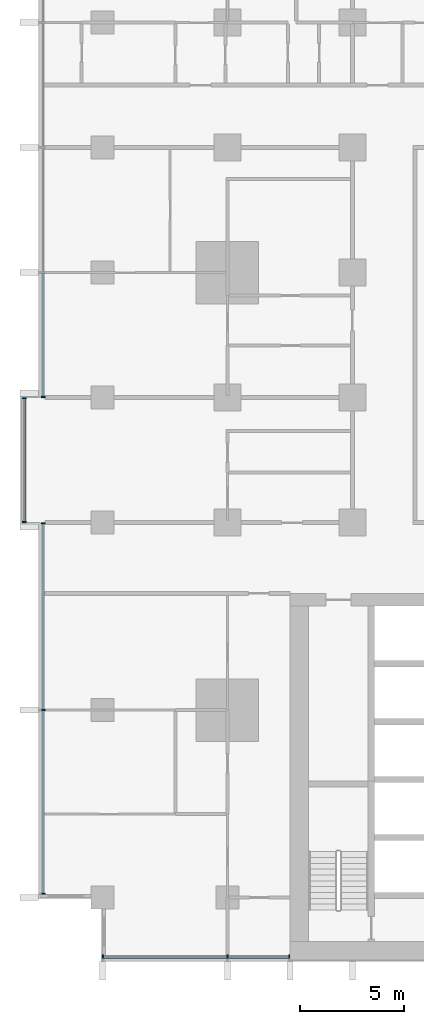
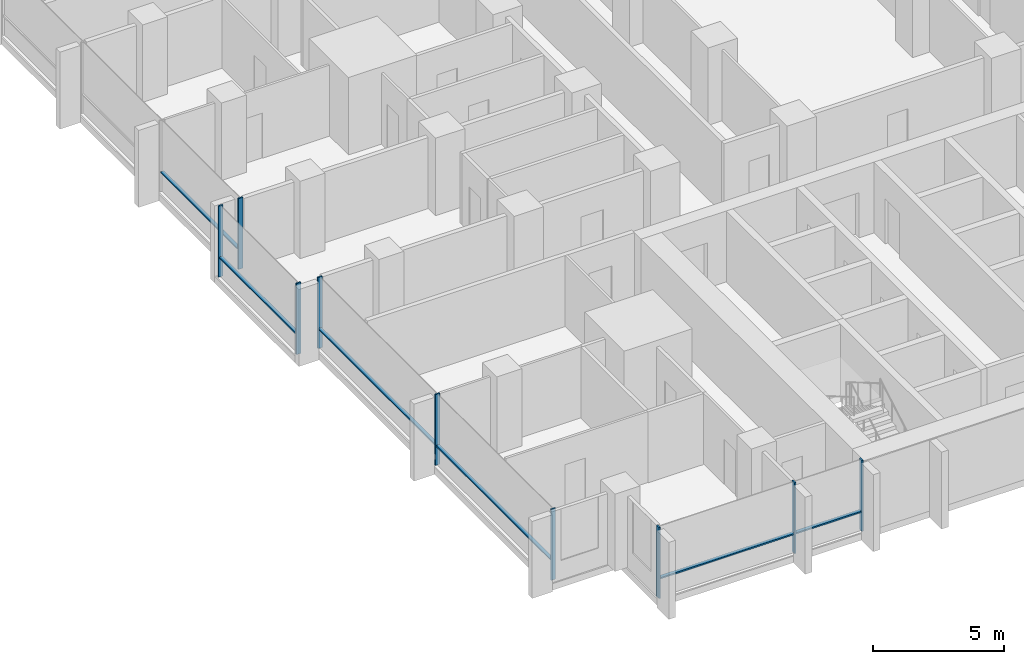
# One storey, part 2 of 18: 15 members, 4 elements without a shape of their own.
"""IFC4 building model written with IfcOpenShell, lengths in metres."""

from ifc_helpers import new_model, si_unit, direction, frame, origin, origin_2d, place, context, subcontext, project, spatial, rectangle, extrude, material, material_profile, profile_set, type_object, element, aggregate, save


model = new_model("IFC4")

# Units and contexts
model_context = context("Model", 3, precision=1e-05, world=origin(), true_north=direction((0.0, 1.0)))
body_context = subcontext(model_context, "Body", "Model", "MODEL_VIEW")
ifc_project = project(units=[si_unit("LENGTHUNIT", "METRE"), si_unit("AREAUNIT", "SQUARE_METRE"), si_unit("VOLUMEUNIT", "CUBIC_METRE"), si_unit("PLANEANGLEUNIT", "RADIAN"), si_unit("MASSUNIT", "GRAM", prefix="KILO")], contexts=[model_context])

# Site, building, storey
site_placement = place(None, origin())
site = spatial("IfcSite", under=ifc_project, at=site_placement, CompositionType="ELEMENT")
building_placement = place(site_placement, origin())
building = spatial("IfcBuilding", under=site, at=building_placement, Name="Finial Court Residences", CompositionType="ELEMENT")
storey_placement = place(building_placement, frame((0.0, 0.0, 57.699951171875)))
storey = spatial("IfcBuildingStorey", under=building, at=storey_placement, Name="L13", CompositionType="ELEMENT", Elevation=57.699951171875)

# Curtain wall, members
ifc_material = material(Name="Bronze anodised aluminium", Category="aluminium")
curtain_wall_type = type_object("IfcCurtainWallType", Name="Unitised curtain wall, lower and middle zones", PredefinedType="NOTDEFINED", material=ifc_material)
curtain_wall_1_placement = place(storey_placement, origin())
curtain_wall_1 = element("IfcCurtainWall", 1, at=curtain_wall_1_placement, inside=storey, type_object=curtain_wall_type, Name="E-L13-CW-S8", PredefinedType="NOTDEFINED")
ifc_material_profile_1 = material_profile(ifc_material, rectangle(XDim=0.199951171875, YDim=0.06494140625, at=origin_2d()), Name="CW1 mullion 65 x 200")
ifc_profile_set_1 = profile_set([ifc_material_profile_1], Name="Bronze anodised aluminium")
member_type_1 = type_object("IfcMemberType", Name="CW1 mullion 65 x 200", PredefinedType="MULLION", material=ifc_profile_set_1)
member_1_placement = place(storey_placement, frame((-22.467529296875, -25.35009765625, 0.0), z_axis=(0.0, 0.0, 1.0), x_axis=(0.0, 1.0, 0.0)))
member_1 = element("IfcMember", 2, at=member_1_placement, type_object=member_type_1, Name="CW1 mullion 1", PredefinedType="MULLION", context=body_context, shape_type="SweptSolid", body=[
    extrude(rectangle(XDim=0.199951171875, YDim=0.06494140625, at=origin_2d()), origin(), (0.0, 0.0, 1.0), 3.300048828125),
])
member_2_placement = place(storey_placement, frame((-16.5, -25.35009765625, 0.0), z_axis=(0.0, 0.0, 1.0), x_axis=(0.0, 1.0, 0.0)))
member_2 = element("IfcMember", 3, at=member_2_placement, type_object=member_type_1, Name="CW1 mullion 2", PredefinedType="MULLION", context=body_context, shape_type="SweptSolid", body=[
    extrude(rectangle(XDim=0.199951171875, YDim=0.06494140625, at=origin_2d()), origin(), (0.0, 0.0, 1.0), 3.300048828125),
])
member_3_placement = place(storey_placement, frame((-13.532470703125, -25.35009765625, 0.0), z_axis=(0.0, 0.0, 1.0), x_axis=(0.0, 1.0, 0.0)))
member_3 = element("IfcMember", 4, at=member_3_placement, type_object=member_type_1, Name="CW1 mullion 3", PredefinedType="MULLION", context=body_context, shape_type="SweptSolid", body=[
    extrude(rectangle(XDim=0.199951171875, YDim=0.06494140625, at=origin_2d()), origin(), (0.0, 0.0, 1.0), 3.300048828125),
])

curtain_wall_2_placement = place(storey_placement, origin())
curtain_wall_2 = element("IfcCurtainWall", 5, at=curtain_wall_2_placement, inside=storey, type_object=curtain_wall_type, Name="E-L13-CW-W10", PredefinedType="NOTDEFINED")
member_4_placement = place(storey_placement, frame((-25.35009765625, -22.3173828125, 0.0), z_axis=(0.0, 0.0, 1.0), x_axis=(-1.0, 0.0, 0.0)))
member_4 = element("IfcMember", 6, at=member_4_placement, type_object=member_type_1, Name="CW1 mullion 1", PredefinedType="MULLION", context=body_context, shape_type="SweptSolid", body=[
    extrude(rectangle(XDim=0.199951171875, YDim=0.06494140625, at=origin_2d()), origin(), (0.0, 0.0, 1.0), 3.300048828125),
])
member_5_placement = place(storey_placement, frame((-25.35009765625, -13.5, 0.0), z_axis=(0.0, 0.0, 1.0), x_axis=(-1.0, 0.0, 0.0)))
member_5 = element("IfcMember", 7, at=member_5_placement, type_object=member_type_1, Name="CW1 mullion 2", PredefinedType="MULLION", context=body_context, shape_type="SweptSolid", body=[
    extrude(rectangle(XDim=0.199951171875, YDim=0.06494140625, at=origin_2d()), origin(), (0.0, 0.0, 1.0), 3.300048828125),
])
member_6_placement = place(storey_placement, frame((-25.35009765625, -4.532470703125, 0.0), z_axis=(0.0, 0.0, 1.0), x_axis=(-1.0, 0.0, 0.0)))
member_6 = element("IfcMember", 8, at=member_6_placement, type_object=member_type_1, Name="CW1 mullion 3", PredefinedType="MULLION", context=body_context, shape_type="SweptSolid", body=[
    extrude(rectangle(XDim=0.199951171875, YDim=0.06494140625, at=origin_2d()), origin(), (0.0, 0.0, 1.0), 3.300048828125),
])

curtain_wall_3_placement = place(storey_placement, origin())
curtain_wall_3 = element("IfcCurtainWall", 9, at=curtain_wall_3_placement, inside=storey, type_object=curtain_wall_type, Name="E-L13-CW-W11", PredefinedType="NOTDEFINED")
member_7_placement = place(storey_placement, frame((-26.25, -4.467529296875, 0.0), z_axis=(0.0, 0.0, 1.0), x_axis=(-1.0, 0.0, 0.0)))
member_7 = element("IfcMember", 10, at=member_7_placement, type_object=member_type_1, Name="CW1 mullion 1", PredefinedType="MULLION", context=body_context, shape_type="SweptSolid", body=[
    extrude(rectangle(XDim=0.199951171875, YDim=0.06494140625, at=origin_2d()), origin(), (0.0, 0.0, 1.0), 3.300048828125),
])
member_8_placement = place(storey_placement, frame((-26.25, 1.467529296875, 0.0), z_axis=(0.0, 0.0, 1.0), x_axis=(-1.0, 0.0, 0.0)))
member_8 = element("IfcMember", 11, at=member_8_placement, type_object=member_type_1, Name="CW1 mullion 2", PredefinedType="MULLION", context=body_context, shape_type="SweptSolid", body=[
    extrude(rectangle(XDim=0.199951171875, YDim=0.06494140625, at=origin_2d()), origin(), (0.0, 0.0, 1.0), 3.300048828125),
])

# Curtain wall, member
curtain_wall_4_placement = place(storey_placement, origin())
curtain_wall_4 = element("IfcCurtainWall", 12, at=curtain_wall_4_placement, inside=storey, type_object=curtain_wall_type, Name="E-L13-CW-W12", PredefinedType="NOTDEFINED")
member_9_placement = place(storey_placement, frame((-25.35009765625, 1.532470703125, 0.0), z_axis=(0.0, 0.0, 1.0), x_axis=(-1.0, 0.0, 0.0)))
member_9 = element("IfcMember", 13, at=member_9_placement, type_object=member_type_1, Name="CW1 mullion 1", PredefinedType="MULLION", context=body_context, shape_type="SweptSolid", body=[
    extrude(rectangle(XDim=0.199951171875, YDim=0.06494140625, at=origin_2d()), origin(), (0.0, 0.0, 1.0), 3.300048828125),
])

# Member
ifc_material_profile_2 = material_profile(ifc_material, rectangle(XDim=0.14990234375, YDim=0.06494140625, at=origin_2d()), Name="CW1 transom 65 x 150")
ifc_profile_set_2 = profile_set([ifc_material_profile_2], Name="Bronze anodised aluminium")
member_type_2 = type_object("IfcMemberType", Name="CW1 transom 65 x 150", PredefinedType="USERDEFINED", material=ifc_profile_set_2)
member_10_placement = place(storey_placement, frame((-22.43505859375, -25.35009765625, 0.900146484375), z_axis=(1.0, 0.0, 0.0), x_axis=(0.0, 1.0, 0.0)))
member_10 = element("IfcMember", 14, at=member_10_placement, type_object=member_type_2, Name="CW1 transom 1.1", ObjectType="TRANSOM", PredefinedType="USERDEFINED", context=body_context, shape_type="SweptSolid", body=[
    extrude(rectangle(XDim=0.14990234375, YDim=0.06494140625, at=origin_2d()), origin(), (0.0, 0.0, 1.0), 5.902587890625),
])

member_11_placement = place(storey_placement, frame((-16.467529296875, -25.35009765625, 0.900146484375), z_axis=(1.0, 0.0, 0.0), x_axis=(0.0, 1.0, 0.0)))
member_11 = element("IfcMember", 15, at=member_11_placement, type_object=member_type_2, Name="CW1 transom 2.1", ObjectType="TRANSOM", PredefinedType="USERDEFINED", context=body_context, shape_type="SweptSolid", body=[
    extrude(rectangle(XDim=0.14990234375, YDim=0.06494140625, at=origin_2d()), origin(), (0.0, 0.0, 1.0), 2.902587890625),
])

aggregate(curtain_wall_1, [member_1, member_2, member_3, member_10, member_11])

member_12_placement = place(storey_placement, frame((-25.35009765625, -22.284912109375, 0.900146484375), z_axis=(0.0, 1.0, 0.0), x_axis=(-1.0, 0.0, 0.0)))
member_12 = element("IfcMember", 16, at=member_12_placement, type_object=member_type_2, Name="CW1 transom 1.1", ObjectType="TRANSOM", PredefinedType="USERDEFINED", context=body_context, shape_type="SweptSolid", body=[
    extrude(rectangle(XDim=0.14990234375, YDim=0.06494140625, at=origin_2d()), origin(), (0.0, 0.0, 1.0), 8.75244140625),
])

member_13_placement = place(storey_placement, frame((-25.35009765625, -13.467529296875, 0.900146484375), z_axis=(0.0, 1.0, 0.0), x_axis=(-1.0, 0.0, 0.0)))
member_13 = element("IfcMember", 17, at=member_13_placement, type_object=member_type_2, Name="CW1 transom 2.1", ObjectType="TRANSOM", PredefinedType="USERDEFINED", context=body_context, shape_type="SweptSolid", body=[
    extrude(rectangle(XDim=0.14990234375, YDim=0.06494140625, at=origin_2d()), origin(), (0.0, 0.0, 1.0), 8.902587890625),
])

aggregate(curtain_wall_2, [member_4, member_5, member_6, member_12, member_13])

member_14_placement = place(storey_placement, frame((-26.25, -4.43505859375, 0.900146484375), z_axis=(0.0, 1.0, 0.0), x_axis=(-1.0, 0.0, 0.0)))
member_14 = element("IfcMember", 18, at=member_14_placement, type_object=member_type_2, Name="CW1 transom 1.1", ObjectType="TRANSOM", PredefinedType="USERDEFINED", context=body_context, shape_type="SweptSolid", body=[
    extrude(rectangle(XDim=0.14990234375, YDim=0.06494140625, at=origin_2d()), origin(), (0.0, 0.0, 1.0), 5.8701171875),
])

aggregate(curtain_wall_3, [member_7, member_8, member_14])

member_15_placement = place(storey_placement, frame((-25.35009765625, 1.56494140625, 0.900146484375), z_axis=(0.0, 1.0, 0.0), x_axis=(-1.0, 0.0, 0.0)))
member_15 = element("IfcMember", 19, at=member_15_placement, type_object=member_type_2, Name="CW1 transom 1.1", ObjectType="TRANSOM", PredefinedType="USERDEFINED", context=body_context, shape_type="SweptSolid", body=[
    extrude(rectangle(XDim=0.14990234375, YDim=0.06494140625, at=origin_2d()), origin(), (0.0, 0.0, 1.0), 5.902587890625),
])

aggregate(curtain_wall_4, [member_9, member_15])

save(model, "model.ifc")
